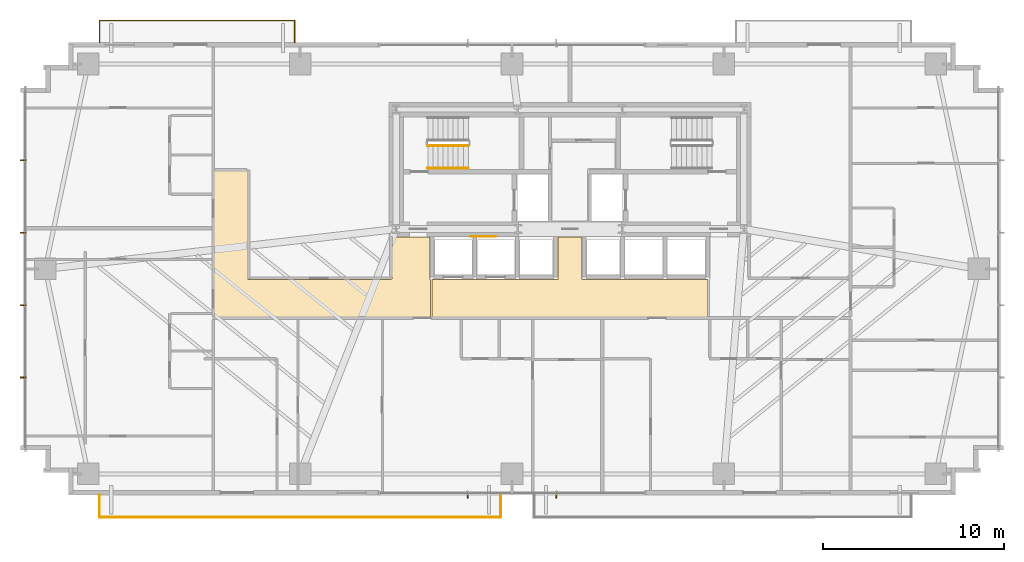
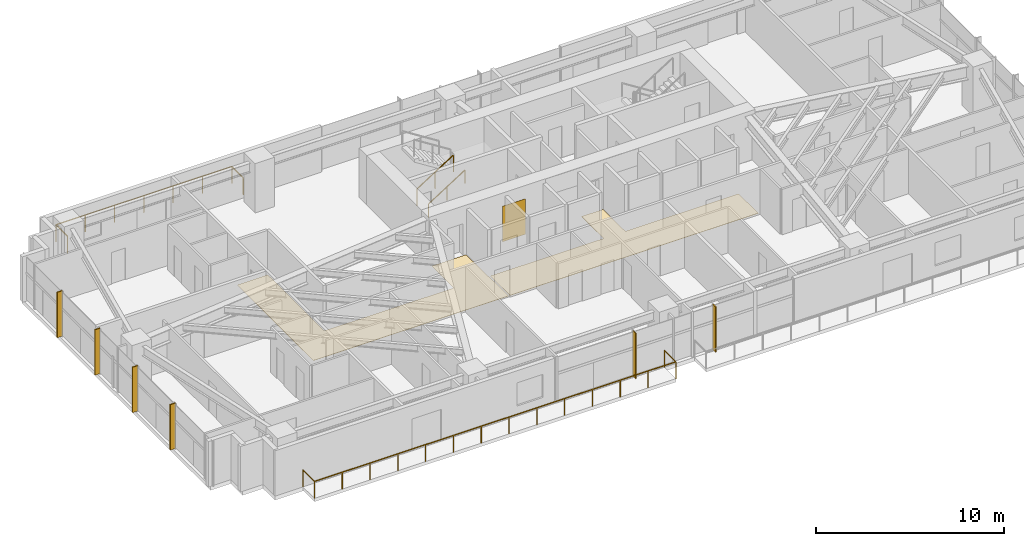
# One storey, part 23 of 25: 6 shading devices, 4 railings, 3 coverings.
"""IFC4 building model written with IfcOpenShell, lengths in metres."""

from ifc_helpers import new_model, si_unit, direction, frame, origin, origin_2d, place, context, subcontext, project, spatial, polyline, rectangle, outline, extrude, source, transform, mapped, material, layer, layer_set, type_object, type_shapes, element, save


model = new_model("IFC4")

# Units and contexts
model_context = context("Model", 3, precision=1e-05, world=origin(), true_north=direction((0.0, 1.0)))
body_context = subcontext(model_context, "Body", "Model", "MODEL_VIEW")
ifc_project = project(units=[si_unit("LENGTHUNIT", "METRE"), si_unit("AREAUNIT", "SQUARE_METRE"), si_unit("VOLUMEUNIT", "CUBIC_METRE"), si_unit("PLANEANGLEUNIT", "RADIAN"), si_unit("MASSUNIT", "GRAM", prefix="KILO")], contexts=[model_context])

# Site, building, storey
site_placement = place(None, origin())
site = spatial("IfcSite", under=ifc_project, at=site_placement, CompositionType="ELEMENT")
building_placement = place(site_placement, origin())
building = spatial("IfcBuilding", under=site, at=building_placement, Name="Astriad Promenade Condominiums", CompositionType="ELEMENT")
storey_placement = place(building_placement, frame((0.0, 0.0, 35.800048828125)))
storey = spatial("IfcBuildingStorey", under=building, at=storey_placement, Name="L09", CompositionType="ELEMENT", Elevation=35.800048828125)

# Coverings
ifc_material_1 = material(Name="Polished Lakefront Terrazzo Flooring")
ifc_layer_1 = layer(ifc_material_1, 0.02001953125)
ifc_layer_set_1 = layer_set([ifc_layer_1], Name="Polished Lakefront Terrazzo Flooring")
covering_type_1 = type_object("IfcCoveringType", Name="COV-FLOR-TERRAZZO-20", PredefinedType="FLOORING", material=ifc_layer_set_1)
covering_1_placement = place(storey_placement, origin())
element("IfcCovering", 1, at=covering_1_placement, inside=storey, type_object=covering_type_1, Name="FLR-L09-LLB", PredefinedType="FLOORING", context=body_context, shape_type="SweptSolid", body=[
    extrude(outline(polyline([(43.610107421875, 14.610107421875), (43.610107421875, 12.530029296875), (28.389892578125, 12.530029296875), (28.389892578125, 14.610107421875), (35.300048828125, 14.610107421875), (35.303955078125, 14.610107421875), (35.307861328125, 14.61083984375), (35.3115234375, 14.61181640625), (35.315185546875, 14.613037109375), (35.31884765625, 14.61474609375), (35.322265625, 14.61669921875), (35.325439453125, 14.619140625), (35.328369140625, 14.62158203125), (35.330810546875, 14.62451171875), (35.333251953125, 14.627685546875), (35.335205078125, 14.631103515625), (35.3369140625, 14.634765625), (35.33837890625, 14.638427734375), (35.339111328125, 14.64208984375), (35.33984375, 14.64599609375), (35.340087890625, 14.64990234375), (35.340087890625, 16.9599609375), (36.659912109375, 16.9599609375), (36.659912109375, 14.64990234375), (36.66015625, 14.64599609375), (36.660888671875, 14.64208984375), (36.66162109375, 14.638427734375), (36.6630859375, 14.634765625), (36.664794921875, 14.631103515625), (36.666748046875, 14.627685546875), (36.669189453125, 14.62451171875), (36.671630859375, 14.62158203125), (36.674560546875, 14.619140625), (36.677734375, 14.61669921875), (36.68115234375, 14.61474609375), (36.684814453125, 14.613037109375), (36.6884765625, 14.61181640625), (36.692138671875, 14.61083984375), (36.696044921875, 14.610107421875), (36.699951171875, 14.610107421875), (43.610107421875, 14.610107421875)])), origin(), (0.0, 0.0, 1.0), 0.02001953125),
])
covering_2_placement = place(storey_placement, origin())
element("IfcCovering", 2, at=covering_2_placement, inside=storey, type_object=covering_type_1, Name="FLR-L09-COR-2", PredefinedType="FLOORING", context=body_context, shape_type="SweptSolid", body=[
    extrude(outline(polyline([(28.300048828125, 12.530029296875), (16.340087890625, 12.530029296875), (16.340087890625, 20.610107421875), (18.2099609375, 20.610107421875), (18.2099609375, 14.659912109375), (18.210205078125, 14.656005859375), (18.210693359375, 14.652099609375), (18.211669921875, 14.6484375), (18.212890625, 14.644775390625), (18.214599609375, 14.64111328125), (18.216796875, 14.6376953125), (18.218994140625, 14.634521484375), (18.2216796875, 14.631591796875), (18.224609375, 14.629150390625), (18.227783203125, 14.626708984375), (18.231201171875, 14.624755859375), (18.234619140625, 14.623046875), (18.23828125, 14.62158203125), (18.2421875, 14.620849609375), (18.24609375, 14.6201171875), (18.25, 14.6201171875), (26.1201171875, 14.6201171875), (26.123779296875, 14.6201171875), (26.127685546875, 14.620849609375), (26.131591796875, 14.62158203125), (26.13525390625, 14.623046875), (26.138916015625, 14.624755859375), (26.14208984375, 14.626708984375), (26.1455078125, 14.629150390625), (26.148193359375, 14.631591796875), (26.15087890625, 14.634521484375), (26.1533203125, 14.6376953125), (26.1552734375, 14.64111328125), (26.156982421875, 14.644775390625), (26.158203125, 14.6484375), (26.1591796875, 14.652099609375), (26.159912109375, 14.656005859375), (26.159912109375, 14.659912109375), (26.159912109375, 16.9599609375), (28.260009765625, 16.9599609375), (28.260009765625, 14.64990234375), (28.26025390625, 14.64599609375), (28.2607421875, 14.64208984375), (28.26171875, 14.638427734375), (28.262939453125, 14.634765625), (28.2646484375, 14.631103515625), (28.2666015625, 14.627685546875), (28.26904296875, 14.62451171875), (28.271728515625, 14.62158203125), (28.274658203125, 14.619140625), (28.27783203125, 14.61669921875), (28.281005859375, 14.61474609375), (28.28466796875, 14.613037109375), (28.288330078125, 14.61181640625), (28.292236328125, 14.61083984375), (28.296142578125, 14.610107421875), (28.300048828125, 14.610107421875), (28.300048828125, 12.530029296875)])), origin(), (0.0, 0.0, 1.0), 0.02001953125),
])

# Shading devices
ifc_material_2 = material(Name="Anodised aluminium 6063-T6 Black Fin", Category="aluminium")
shading_device_type = type_object("IfcShadingDeviceType", Name="FIN-BLACK-320", PredefinedType="USERDEFINED", material=ifc_material_2)
shared_shape_1 = source(origin(), body_context, "Body", "SweptSolid", [
    extrude(rectangle(XDim=0.06494140625, YDim=0.320068359375, at=origin_2d()), origin(), (0.0, 0.0, 1.0), 2.93994140625),
])
type_shapes(shading_device_type, [shared_shape_1])
for number, where, z_axis, x_axis, name in (
    (3, (5.7900390625, 9.199951171875, 0.0), (0.0, 0.0, 1.0), (0.0, 1.0, 0.0), "CW-L09-W-FIN-01"),
    (4, (5.7900390625, 13.199951171875, 0.0), (0.0, 0.0, 1.0), (0.0, 1.0, 0.0), "CW-L09-W-FIN-02"),
    (5, (5.7900390625, 17.199951171875, 0.0), (0.0, 0.0, 1.0), (0.0, 1.0, 0.0), "CW-L09-W-FIN-03"),
    (6, (5.7900390625, 21.199951171875, 0.0), (0.0, 0.0, 1.0), (0.0, 1.0, 0.0), "CW-L09-W-FIN-04"),
    (7, (35.25, 2.68994140625, 0.0), (0.0, 0.0, 1.0), (-1.0, 0.0, 0.0), "CW-L09-S-FIN-01"),
    (8, (30.35009765625, 2.68994140625, 0.0), (0.0, 0.0, 1.0), (-1.0, 0.0, 0.0), "CW-L09-S-FIN-02"),
):
    element("IfcShadingDevice", number, at=place(storey_placement, frame(where, z_axis=z_axis, x_axis=x_axis)), inside=storey, type_object=shading_device_type, Name=name, ObjectType="FIN", PredefinedType="USERDEFINED", context=body_context, shape_type="MappedRepresentation", body=[
        mapped(shared_shape_1, transform((0.0, 0.0, 0.0), scale=1.0)),
    ])

# Railings
ifc_material_3 = material(Name="Laminated Glass and Stainless Steel Balustrade", Category="steel")
railing_type_1 = type_object("IfcRailingType", Name="GRD-BALC-1120", PredefinedType="BALUSTRADE", material=ifc_material_3)
shared_shape_2 = source(origin(), body_context, "Body", "SweptSolid", [
    extrude(rectangle(XDim=0.048095703125, YDim=0.048095703125, at=origin_2d()), frame((0.0, 0.0, 1.09619140625), z_axis=(0.0, -1.0, 0.0), x_axis=(1.0, 0.0, 0.0)), (0.0, 0.0, 1.0), 1.219970703125),
    extrude(rectangle(XDim=0.048095703125, YDim=0.048095703125, at=origin_2d()), frame((0.0, -1.219970703125, 1.09619140625), z_axis=(1.0, 0.0, 0.0), x_axis=(0.0, 1.0, 0.0)), (0.0, 0.0, 1.0), 22.155029296875),
    extrude(rectangle(XDim=0.048095703125, YDim=0.048095703125, at=origin_2d()), frame((22.155029296875, -1.219970703125, 1.09619140625), z_axis=(0.0, 1.0, 0.0), x_axis=(-1.0, 0.0, 0.0)), (0.0, 0.0, 1.0), 1.219970703125),
    extrude(rectangle(XDim=0.0419921875, YDim=0.0419921875, at=origin_2d()), origin(), (0.0, 0.0, 1.0), 1.072021484375),
    extrude(rectangle(XDim=0.0419921875, YDim=0.0419921875, at=origin_2d()), frame((0.0, -1.219970703125, 0.0)), (0.0, 0.0, 1.0), 1.072021484375),
    extrude(rectangle(XDim=0.0419921875, YDim=0.0419921875, at=origin_2d()), frame((1.704345703125, -1.219970703125, 0.0)), (0.0, 0.0, 1.0), 1.072021484375),
    extrude(rectangle(XDim=0.0419921875, YDim=0.0419921875, at=origin_2d()), frame((3.408447265625, -1.219970703125, 0.0)), (0.0, 0.0, 1.0), 1.072021484375),
    extrude(rectangle(XDim=0.0419921875, YDim=0.0419921875, at=origin_2d()), frame((5.11279296875, -1.219970703125, 0.0)), (0.0, 0.0, 1.0), 1.072021484375),
    extrude(rectangle(XDim=0.0419921875, YDim=0.0419921875, at=origin_2d()), frame((6.81689453125, -1.219970703125, 0.0)), (0.0, 0.0, 1.0), 1.072021484375),
    extrude(rectangle(XDim=0.0419921875, YDim=0.0419921875, at=origin_2d()), frame((8.521240234375, -1.219970703125, 0.0)), (0.0, 0.0, 1.0), 1.072021484375),
    extrude(rectangle(XDim=0.0419921875, YDim=0.0419921875, at=origin_2d()), frame((10.225341796875, -1.219970703125, 0.0)), (0.0, 0.0, 1.0), 1.072021484375),
    extrude(rectangle(XDim=0.0419921875, YDim=0.0419921875, at=origin_2d()), frame((11.9296875, -1.219970703125, 0.0)), (0.0, 0.0, 1.0), 1.072021484375),
    extrude(rectangle(XDim=0.0419921875, YDim=0.0419921875, at=origin_2d()), frame((13.6337890625, -1.219970703125, 0.0)), (0.0, 0.0, 1.0), 1.072021484375),
    extrude(rectangle(XDim=0.0419921875, YDim=0.0419921875, at=origin_2d()), frame((15.338134765625, -1.219970703125, 0.0)), (0.0, 0.0, 1.0), 1.072021484375),
    extrude(rectangle(XDim=0.0419921875, YDim=0.0419921875, at=origin_2d()), frame((17.042236328125, -1.219970703125, 0.0)), (0.0, 0.0, 1.0), 1.072021484375),
    extrude(rectangle(XDim=0.0419921875, YDim=0.0419921875, at=origin_2d()), frame((18.74658203125, -1.219970703125, 0.0)), (0.0, 0.0, 1.0), 1.072021484375),
    extrude(rectangle(XDim=0.0419921875, YDim=0.0419921875, at=origin_2d()), frame((20.45068359375, -1.219970703125, 0.0)), (0.0, 0.0, 1.0), 1.072021484375),
    extrude(rectangle(XDim=0.0419921875, YDim=0.0419921875, at=origin_2d()), frame((22.155029296875, -1.219970703125, 0.0)), (0.0, 0.0, 1.0), 1.072021484375),
    extrude(rectangle(XDim=0.0419921875, YDim=0.0419921875, at=origin_2d()), frame((22.155029296875, 0.0, 0.0)), (0.0, 0.0, 1.0), 1.072021484375),
])
railing_1_placement = place(storey_placement, frame((10.02197265625, 2.699951171875, 0.0)))
element("IfcRailing", 9, at=railing_1_placement, inside=storey, type_object=railing_type_1, Name="GRD-BALC-L09-SW", PredefinedType="BALUSTRADE", context=body_context, shape_type="MappedRepresentation", body=[
    mapped(shared_shape_2, transform((0.0, 0.0, 0.0), scale=1.0)),
])
shared_shape_3 = source(origin(), body_context, "Body", "SweptSolid", [
    extrude(rectangle(XDim=0.048095703125, YDim=0.048095703125, at=origin_2d()), frame((0.0, 0.0, 1.09619140625), z_axis=(0.0, 1.0, 0.0), x_axis=(-1.0, 0.0, 0.0)), (0.0, 0.0, 1.0), 1.219970703125),
    extrude(rectangle(XDim=0.048095703125, YDim=0.048095703125, at=origin_2d()), frame((0.0, 1.219970703125, 1.09619140625), z_axis=(-1.0, 0.0, 0.0), x_axis=(0.0, -1.0, 0.0)), (0.0, 0.0, 1.0), 10.778076171875),
    extrude(rectangle(XDim=0.048095703125, YDim=0.048095703125, at=origin_2d()), frame((-10.778076171875, 1.219970703125, 1.09619140625), z_axis=(0.0, -1.0, 0.0), x_axis=(1.0, 0.0, 0.0)), (0.0, 0.0, 1.0), 1.219970703125),
    extrude(rectangle(XDim=0.0419921875, YDim=0.0419921875, at=origin_2d()), origin(), (0.0, 0.0, 1.0), 1.072021484375),
    extrude(rectangle(XDim=0.0419921875, YDim=0.0419921875, at=origin_2d()), frame((0.0, 1.219970703125, 0.0)), (0.0, 0.0, 1.0), 1.072021484375),
    extrude(rectangle(XDim=0.0419921875, YDim=0.0419921875, at=origin_2d()), frame((-1.79638671875, 1.219970703125, 0.0)), (0.0, 0.0, 1.0), 1.072021484375),
    extrude(rectangle(XDim=0.0419921875, YDim=0.0419921875, at=origin_2d()), frame((-3.5927734375, 1.219970703125, 0.0)), (0.0, 0.0, 1.0), 1.072021484375),
    extrude(rectangle(XDim=0.0419921875, YDim=0.0419921875, at=origin_2d()), frame((-5.38916015625, 1.219970703125, 0.0)), (0.0, 0.0, 1.0), 1.072021484375),
    extrude(rectangle(XDim=0.0419921875, YDim=0.0419921875, at=origin_2d()), frame((-7.185302734375, 1.219970703125, 0.0)), (0.0, 0.0, 1.0), 1.072021484375),
    extrude(rectangle(XDim=0.0419921875, YDim=0.0419921875, at=origin_2d()), frame((-8.981689453125, 1.219970703125, 0.0)), (0.0, 0.0, 1.0), 1.072021484375),
    extrude(rectangle(XDim=0.0419921875, YDim=0.0419921875, at=origin_2d()), frame((-10.778076171875, 1.219970703125, 0.0)), (0.0, 0.0, 1.0), 1.072021484375),
    extrude(rectangle(XDim=0.0419921875, YDim=0.0419921875, at=origin_2d()), frame((-10.778076171875, 0.0, 0.0)), (0.0, 0.0, 1.0), 1.072021484375),
])
type_shapes(railing_type_1, [shared_shape_2, shared_shape_3])
railing_2_placement = place(storey_placement, frame((20.800048828125, 27.699951171875, 0.0)))
element("IfcRailing", 10, at=railing_2_placement, inside=storey, type_object=railing_type_1, Name="GRD-BALC-L09-NW", PredefinedType="BALUSTRADE", context=body_context, shape_type="MappedRepresentation", body=[
    mapped(shared_shape_3, transform((0.0, 0.0, 0.0), scale=1.0)),
])
ifc_material_4 = material(Name="Painted Galvanised Steel Guardrail", Category="steel")
railing_type_2 = type_object("IfcRailingType", Name="GRD-STAIR-1100", PredefinedType="GUARDRAIL", material=ifc_material_4)
shared_shape_4 = source(origin(), body_context, "Body", "SweptSolid", [
    extrude(rectangle(XDim=0.048095703125, YDim=0.048095703125, at=origin_2d()), frame((0.0, 0.0, 1.076171875), z_axis=(0.8442293374, 0.0, 0.53598211339), x_axis=(0.0, 1.0, 0.0)), (0.0, 0.0, 1.0), 2.6533203125),
    extrude(rectangle(XDim=0.0419921875, YDim=0.0419921875, at=origin_2d()), origin(), (0.0, 0.0, 1.0), 1.052001953125),
    extrude(rectangle(XDim=0.0419921875, YDim=0.0419921875, at=origin_2d()), frame((1.1201171875, 0.0, 0.7109375)), (0.0, 0.0, 1.0), 1.052001953125),
    extrude(rectangle(XDim=0.0419921875, YDim=0.0419921875, at=origin_2d()), frame((2.239990234375, 0.0, 1.422119140625)), (0.0, 0.0, 1.0), 1.052001953125),
])
type_shapes(railing_type_2, [shared_shape_4])
railing_3_placement = place(storey_placement, frame((28.14990234375, 22.0, 0.177734375)))
element("IfcRailing", 11, at=railing_3_placement, inside=storey, type_object=railing_type_2, Name="L09 ST-1 stair guard 1", PredefinedType="GUARDRAIL", context=body_context, shape_type="MappedRepresentation", body=[
    mapped(shared_shape_4, transform((0.0, 0.0, 0.0), scale=1.0)),
])
ifc_material_5 = material(Name="Brushed Stainless Steel Handrail", Category="steel")
railing_type_3 = type_object("IfcRailingType", Name="HRL-STAIR-920", PredefinedType="HANDRAIL", material=ifc_material_5)
shared_shape_5 = source(origin(), body_context, "Body", "SweptSolid", [
    extrude(rectangle(XDim=0.048095703125, YDim=0.048095703125, at=origin_2d()), frame((0.0, 0.0, 0.8759765625), z_axis=(0.8442293374, 0.0, 0.53598211339), x_axis=(0.0, 1.0, 0.0)), (0.0, 0.0, 1.0), 2.6533203125),
    extrude(rectangle(XDim=0.0419921875, YDim=0.0419921875, at=origin_2d()), origin(), (0.0, 0.0, 1.0), 0.851806640625),
    extrude(rectangle(XDim=0.0419921875, YDim=0.0419921875, at=origin_2d()), frame((1.1201171875, 0.0, 0.7109375)), (0.0, 0.0, 1.0), 0.851806640625),
    extrude(rectangle(XDim=0.0419921875, YDim=0.0419921875, at=origin_2d()), frame((2.239990234375, 0.0, 1.422119140625)), (0.0, 0.0, 1.0), 0.851806640625),
])
type_shapes(railing_type_3, [shared_shape_5])
railing_4_placement = place(storey_placement, frame((28.14990234375, 20.75, 0.177734375)))
element("IfcRailing", 12, at=railing_4_placement, inside=storey, type_object=railing_type_3, Name="L09 ST-1 stair handrail 1", PredefinedType="HANDRAIL", context=body_context, shape_type="MappedRepresentation", body=[
    mapped(shared_shape_5, transform((0.0, 0.0, 0.0), scale=1.0)),
])

# Covering
ifc_material_6 = material(Name="Fire-Retardant Acoustic Oak Wall Cladding")
ifc_layer_2 = layer(ifc_material_6, 0.02490234375)
ifc_layer_set_2 = layer_set([ifc_layer_2], Name="Fire-Retardant Acoustic Oak Wall Cladding")
covering_type_2 = type_object("IfcCoveringType", Name="COV-CLAD-TIMBER-25", PredefinedType="CLADDING", material=ifc_layer_set_2)
shared_shape_6 = source(origin(), body_context, "Body", "SweptSolid", [
    extrude(rectangle(XDim=1.39990234375, YDim=0.02490234375, at=origin_2d()), origin(), (0.0, 0.0, 1.0), 2.300048828125),
])
type_shapes(covering_type_2, [shared_shape_6])
covering_3_placement = place(storey_placement, frame((31.199951171875, 16.991455078125, 0.0498046875), z_axis=(0.0, 0.0, 1.0), x_axis=(1.0, 0.0, 0.0)))
element("IfcCovering", 13, at=covering_3_placement, inside=storey, type_object=covering_type_2, Name="CLAD-LOB-L09", PredefinedType="CLADDING", context=body_context, shape_type="MappedRepresentation", body=[
    mapped(shared_shape_6, transform((0.0, 0.0, 0.0), scale=1.0)),
])

save(model, "model.ifc")
